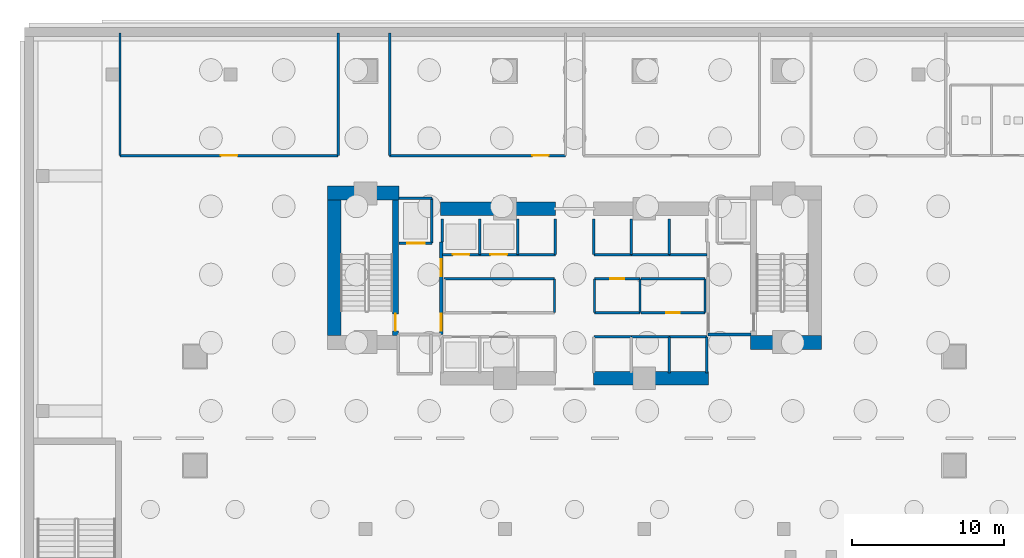
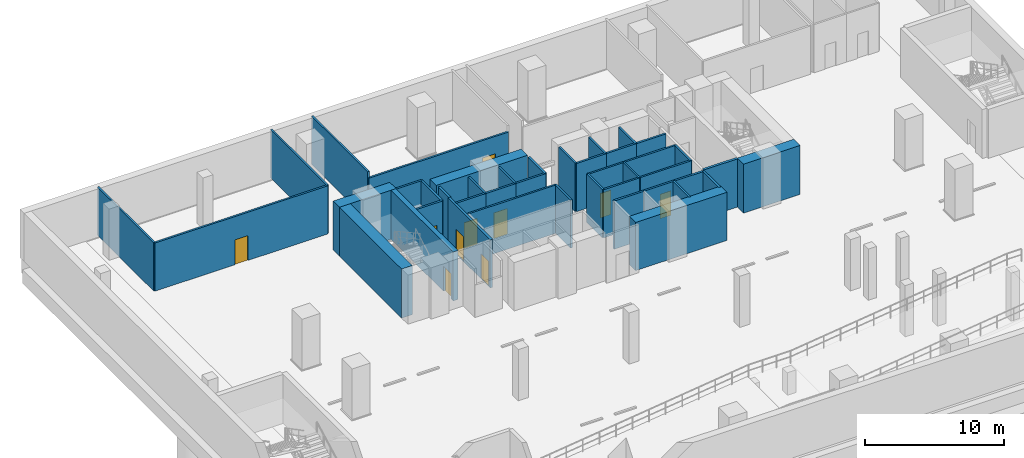
# One storey, part 4 of 13: 43 walls, 10 doors, 10 openings.
"""IFC4 building model written with IfcOpenShell, lengths in metres."""

from ifc_helpers import new_model, si_unit, direction, frame, frame_2d, origin, place, context, subcontext, project, spatial, rectangle, extrude, material, layer, layer_set, type_object, element, fill, save


model = new_model("IFC4")

# Units and contexts
model_context = context("Model", 3, precision=1e-05, world=origin(), true_north=direction((0.0, 1.0)))
body_context = subcontext(model_context, "Body", "Model", "MODEL_VIEW")
ifc_project = project(units=[si_unit("LENGTHUNIT", "METRE"), si_unit("AREAUNIT", "SQUARE_METRE"), si_unit("VOLUMEUNIT", "CUBIC_METRE"), si_unit("PLANEANGLEUNIT", "RADIAN"), si_unit("MASSUNIT", "GRAM", prefix="KILO")], contexts=[model_context])

# Site, building, storey
site_placement = place(None, origin())
site = spatial("IfcSite", under=ifc_project, at=site_placement, CompositionType="ELEMENT")
building_placement = place(site_placement, origin())
building = spatial("IfcBuilding", under=site, at=building_placement, Name="Zuhayl Quay Hotel", CompositionType="ELEMENT")
storey_placement = place(building_placement, frame((0.0, 0.0, -9.0)))
storey = spatial("IfcBuildingStorey", under=building, at=storey_placement, Name="B2", CompositionType="ELEMENT", Elevation=-9.0)

# Walls
ifc_material_1 = material(Name="Concrete C70/85", Category="concrete")
ifc_layer_1 = layer(ifc_material_1, 0.89990234375, Name="Concrete C70/85", Category="concrete")
ifc_layer_set_1 = layer_set([ifc_layer_1], Name="Concrete C70/85")
wall_type_1 = type_object("IfcWallType", Name="WL_CORE_900", PredefinedType="SHEAR", material=ifc_layer_set_1)
wall_1_placement = place(storey_placement, frame((-16.31005859375, 14.3798828125, 0.0), z_axis=(0.0, 0.0, 1.0), x_axis=(1.0, 0.0, 0.0)))
element("IfcWall", 1, at=wall_1_placement, inside=storey, type_object=wall_type_1, Name="B2 Core Shear Wall CW_NW", PredefinedType="SHEAR", context=body_context, shape_type="SweptSolid", body=[
    extrude(rectangle(XDim=4.7099609375, YDim=0.89990234375, at=frame_2d((2.35498046875, 0.0))), origin(), (0.0, 0.0, 1.0), 4.31005859375),
])
wall_2_placement = place(storey_placement, frame((-15.860107421875, 4.969970703125, 0.0), z_axis=(0.0, 0.0, 1.0), x_axis=(0.0, 1.0, 0.0)))
element("IfcWall", 2, at=wall_2_placement, inside=storey, type_object=wall_type_1, Name="B2 Core Shear Wall CW_W", PredefinedType="SHEAR", context=body_context, shape_type="SweptSolid", body=[
    extrude(rectangle(XDim=8.9599609375, YDim=0.89990234375, at=frame_2d((4.47998046875, 0.0))), origin(), (0.0, 0.0, 1.0), 4.31005859375),
])
wall_3_placement = place(storey_placement, frame((11.60009765625, 4.52001953125, 0.0), z_axis=(0.0, 0.0, 1.0), x_axis=(1.0, 0.0, 0.0)))
element("IfcWall", 3, at=wall_3_placement, inside=storey, type_object=wall_type_1, Name="B2 Core Shear Wall CW_SE", PredefinedType="SHEAR", context=body_context, shape_type="SweptSolid", body=[
    extrude(rectangle(XDim=4.7099609375, YDim=0.89990234375, at=frame_2d((2.35498046875, 0.0))), origin(), (0.0, 0.0, 1.0), 4.31005859375),
])
for number, where, z_axis, x_axis, name in (
    (4, (1.25, 2.14990234375, 0.0), (0.0, 0.0, 1.0), (1.0, 0.0, 0.0), "B2 Core Shear Wall CW_SC_E"),
    (5, (-8.85009765625, 13.35009765625, 0.0), (0.0, 0.0, 1.0), (1.0, 0.0, 0.0), "B2 Core Shear Wall CW_NC_W"),
):
    element("IfcWall", number, at=place(storey_placement, frame(where, z_axis=z_axis, x_axis=x_axis)), inside=storey, type_object=wall_type_1, Name=name, PredefinedType="SHEAR", context=body_context, shape_type="SweptSolid", body=[
        extrude(rectangle(XDim=7.60009765625, YDim=0.89990234375, at=frame_2d((3.800048828125, 0.0))), origin(), (0.0, 0.0, 1.0), 4.239990234375),
    ])

# Wall, opening, door
ifc_material_2 = material(Name="Acoustic Gypsum Partition STC-58")
ifc_layer_2 = layer(ifc_material_2, 0.14990234375, Name="Acoustic Gypsum Partition STC-58")
ifc_layer_set_2 = layer_set([ifc_layer_2], Name="Acoustic Gypsum Partition STC-58")
wall_type_2 = type_object("IfcWallType", Name="WL_PART_150", PredefinedType="PARTITIONING", material=ifc_layer_set_2)
wall_4_placement = place(storey_placement, frame((1.320068359375, 8.719970703125, 0.0), z_axis=(0.0, 0.0, 1.0), x_axis=(1.0, 0.0, 0.0)))
wall_4 = element("IfcWall", 6, at=wall_4_placement, inside=storey, type_object=wall_type_2, Name="B2 Partition IW_B2_CORE_IT_N", PredefinedType="PARTITIONING", context=body_context, shape_type="SweptSolid", body=[
    extrude(rectangle(XDim=2.989990234375, YDim=0.14990234375, at=frame_2d((1.4951171875, 0.0))), origin(), (0.0, 0.0, 1.0), 4.239990234375),
])
opening_1_placement = place(wall_4_placement, frame((1.044921875, 0.0, 0.0)))
opening_1 = element("IfcOpeningElement", 7, at=opening_1_placement, cuts=wall_4, Name="Opening D06", PredefinedType="OPENING", context=body_context, shape_type="SweptSolid", body=[
    extrude(rectangle(XDim=0.89990234375, YDim=2.14990234375, at=frame_2d((0.449951171875, 1.074951171875))), frame((0.0, 0.0849609375, 0.0), z_axis=(0.0, -1.0, 0.0), x_axis=(1.0, 0.0, 0.0)), (0.0, 0.0, 1.0), 0.169921875),
])
ifc_material_3 = material(Name="Steel ASTM A992 Grade 50", Category="steel")
door_type_1 = type_object("IfcDoorType", Name="DR_INT_900", OperationType="NOTDEFINED", PredefinedType="DOOR", material=ifc_material_3)
door_1_placement = place(opening_1_placement, origin())
door_1 = element("IfcDoor", 8, at=door_1_placement, inside=storey, type_object=door_type_1, Name="B2 Telecom Closet Door", OperationType="SINGLE_SWING_LEFT", OverallHeight=2.14990234375, OverallWidth=0.89990234375, PredefinedType="DOOR", context=body_context, shape_type="SweptSolid", body=[
    extrude(rectangle(XDim=0.89990234375, YDim=2.14990234375, at=frame_2d((0.449951171875, 1.074951171875))), frame((0.0, 0.02490234375, 0.0), z_axis=(0.0, -1.0, 0.0), x_axis=(1.0, 0.0, 0.0)), (0.0, 0.0, 1.0), 0.050048828125),
])
fill(opening_1, door_1)

wall_5_placement = place(storey_placement, frame((4.3701171875, 6.47998046875, 0.0), z_axis=(0.0, 0.0, 1.0), x_axis=(1.0, 0.0, 0.0)))
wall_5 = element("IfcWall", 9, at=wall_5_placement, inside=storey, type_object=wall_type_2, Name="B2 Partition IW_B2_CORE_LN_S", PredefinedType="PARTITIONING", context=body_context, shape_type="SweptSolid", body=[
    extrude(rectangle(XDim=4.239990234375, YDim=0.14990234375, at=frame_2d((2.1201171875, 0.0))), origin(), (0.0, 0.0, 1.0), 4.239990234375),
])
opening_2_placement = place(wall_5_placement, frame((1.669921875, 0.0, 0.0)))
opening_2 = element("IfcOpeningElement", 10, at=opening_2_placement, cuts=wall_5, Name="Opening D06", PredefinedType="OPENING", context=body_context, shape_type="SweptSolid", body=[
    extrude(rectangle(XDim=0.89990234375, YDim=2.14990234375, at=frame_2d((0.449951171875, 1.074951171875))), frame((0.0, 0.0849609375, 0.0), z_axis=(0.0, -1.0, 0.0), x_axis=(1.0, 0.0, 0.0)), (0.0, 0.0, 1.0), 0.169921875),
])
door_2_placement = place(opening_2_placement, origin())
door_2 = element("IfcDoor", 11, at=door_2_placement, inside=storey, type_object=door_type_1, Name="B2 Core Linen Store Door", OperationType="SINGLE_SWING_RIGHT", OverallHeight=2.14990234375, OverallWidth=0.89990234375, PredefinedType="DOOR", context=body_context, shape_type="SweptSolid", body=[
    extrude(rectangle(XDim=0.89990234375, YDim=2.14990234375, at=frame_2d((0.449951171875, 1.074951171875))), frame((0.0, 0.02490234375, 0.0), z_axis=(0.0, -1.0, 0.0), x_axis=(1.0, 0.0, 0.0)), (0.0, 0.0, 1.0), 0.050048828125),
])
fill(opening_2, door_2)

# Walls
wall_6_placement = place(storey_placement, frame((-8.610107421875, 8.719970703125, 0.0), z_axis=(0.0, 0.0, 1.0), x_axis=(1.0, 0.0, 0.0)))
element("IfcWall", 12, at=wall_6_placement, inside=storey, type_object=wall_type_2, Name="B2 Partition IW_B2_CORE_EL_N", PredefinedType="PARTITIONING", context=body_context, shape_type="SweptSolid", body=[
    extrude(rectangle(XDim=7.2900390625, YDim=0.14990234375, at=frame_2d((3.64501953125, 0.0))), origin(), (0.0, 0.0, 1.0), 4.239990234375),
])
wall_7_placement = place(storey_placement, frame((-1.320068359375, 6.47998046875, 0.0), z_axis=(0.0, 0.0, 1.0), x_axis=(0.0, 1.0, 0.0)))
element("IfcWall", 13, at=wall_7_placement, inside=storey, type_object=wall_type_2, Name="B2 Partition IW_B2_CORE_EL_E", PredefinedType="PARTITIONING", context=body_context, shape_type="SweptSolid", body=[
    extrude(rectangle(XDim=2.239990234375, YDim=0.14990234375, at=frame_2d((1.1201171875, 0.0))), origin(), (0.0, 0.0, 1.0), 4.239990234375),
])
wall_8_placement = place(storey_placement, frame((1.320068359375, 6.47998046875, 0.0), z_axis=(0.0, 0.0, 1.0), x_axis=(1.0, 0.0, 0.0)))
element("IfcWall", 14, at=wall_8_placement, inside=storey, type_object=wall_type_2, Name="B2 Partition IW_B2_CORE_IT_S", PredefinedType="PARTITIONING", context=body_context, shape_type="SweptSolid", body=[
    extrude(rectangle(XDim=2.989990234375, YDim=0.14990234375, at=frame_2d((1.4951171875, 0.0))), origin(), (0.0, 0.0, 1.0), 4.239990234375),
])
for number, where, z_axis, x_axis, name in (
    (15, (1.320068359375, 6.47998046875, 0.0), (0.0, 0.0, 1.0), (0.0, 1.0, 0.0), "B2 Partition IW_B2_CORE_IT_W"),
    (16, (4.31005859375, 6.47998046875, 0.0), (0.0, 0.0, 1.0), (0.0, 1.0, 0.0), "B2 Partition IW_B2_CORE_IT_E"),
):
    element("IfcWall", number, at=place(storey_placement, frame(where, z_axis=z_axis, x_axis=x_axis)), inside=storey, type_object=wall_type_2, Name=name, PredefinedType="PARTITIONING", context=body_context, shape_type="SweptSolid", body=[
        extrude(rectangle(XDim=2.239990234375, YDim=0.14990234375, at=frame_2d((1.1201171875, 0.0))), origin(), (0.0, 0.0, 1.0), 4.239990234375),
    ])
wall_9_placement = place(storey_placement, frame((4.3701171875, 8.719970703125, 0.0), z_axis=(0.0, 0.0, 1.0), x_axis=(1.0, 0.0, 0.0)))
element("IfcWall", 17, at=wall_9_placement, inside=storey, type_object=wall_type_2, Name="B2 Partition IW_B2_CORE_LN_N", PredefinedType="PARTITIONING", context=body_context, shape_type="SweptSolid", body=[
    extrude(rectangle(XDim=4.239990234375, YDim=0.14990234375, at=frame_2d((2.1201171875, 0.0))), origin(), (0.0, 0.0, 1.0), 4.239990234375),
])
wall_10_placement = place(storey_placement, frame((8.610107421875, 6.47998046875, 0.0), z_axis=(0.0, 0.0, 1.0), x_axis=(0.0, 1.0, 0.0)))
element("IfcWall", 18, at=wall_10_placement, inside=storey, type_object=wall_type_2, Name="B2 Partition IW_B2_CORE_LN_E", PredefinedType="PARTITIONING", context=body_context, shape_type="SweptSolid", body=[
    extrude(rectangle(XDim=2.239990234375, YDim=0.14990234375, at=frame_2d((1.1201171875, 0.0))), origin(), (0.0, 0.0, 1.0), 4.239990234375),
])
for number, where, z_axis, x_axis, name in (
    (19, (-30.0, 16.85009765625, 0.0), (0.0, 0.0, 1.0), (0.0, 1.0, 0.0), "B2 Partition IW_B2_CHILLER_W"),
    (20, (-15.60009765625, 16.85009765625, 0.0), (0.0, 0.0, 1.0), (0.0, 1.0, 0.0), "B2 Partition IW_B2_CHILLER_E"),
    (21, (-12.199951171875, 16.85009765625, 0.0), (0.0, 0.0, 1.0), (0.0, 1.0, 0.0), "B2 Partition IW_B2_FIREPUMP_W"),
):
    element("IfcWall", number, at=place(storey_placement, frame(where, z_axis=z_axis, x_axis=x_axis)), inside=storey, type_object=wall_type_2, Name=name, PredefinedType="PARTITIONING", context=body_context, shape_type="SweptSolid", body=[
        extrude(rectangle(XDim=8.08984375, YDim=0.14990234375, at=frame_2d((4.044921875, 0.0))), origin(), (0.0, 0.0, 1.0), 4.239990234375),
    ])

# Wall, opening, door
ifc_layer_3 = layer(ifc_material_2, 0.159912109375, Name="Acoustic Gypsum Partition STC-58")
ifc_layer_set_3 = layer_set([ifc_layer_3], Name="Acoustic Gypsum Partition STC-58")
wall_type_3 = type_object("IfcWallType", Name="WL_PART_CORR_160", PredefinedType="PARTITIONING", material=ifc_layer_set_3)
wall_11_placement = place(storey_placement, frame((-30.0, 16.85009765625, 0.0), z_axis=(0.0, 0.0, 1.0), x_axis=(1.0, 0.0, 0.0)))
wall_11 = element("IfcWall", 22, at=wall_11_placement, inside=storey, type_object=wall_type_3, Name="B2 Partition IW_B2_CHILLER_S", PredefinedType="PARTITIONING", context=body_context, shape_type="SweptSolid", body=[
    extrude(rectangle(XDim=14.39990234375, YDim=0.159912109375, at=frame_2d((7.199951171875, 0.0))), origin(), (0.0, 0.0, 1.0), 4.239990234375),
])
opening_3_placement = place(wall_11_placement, frame((6.659912109375, 0.0, 0.0)))
opening_3 = element("IfcOpeningElement", 23, at=opening_3_placement, cuts=wall_11, Name="Opening D05A", PredefinedType="OPENING", context=body_context, shape_type="SweptSolid", body=[
    extrude(rectangle(XDim=1.080078125, YDim=2.179931640625, at=frame_2d((0.5400390625, 1.08984375))), frame((0.0, 0.08984375, 0.0), z_axis=(0.0, -1.0, 0.0), x_axis=(1.0, 0.0, 0.0)), (0.0, 0.0, 1.0), 0.179931640625),
])
ifc_material_4 = material(Name="Solid Walnut Acoustic Fire Door")
door_type_2 = type_object("IfcDoorType", Name="DR_INT_1100", OperationType="NOTDEFINED", PredefinedType="DOOR", material=ifc_material_4)
door_3_placement = place(opening_3_placement, origin())
door_3 = element("IfcDoor", 24, at=door_3_placement, inside=storey, type_object=door_type_2, Name="B2 Central Chiller Plant Room Door", OperationType="SINGLE_SWING_RIGHT", OverallHeight=2.179931640625, OverallWidth=1.080078125, PredefinedType="DOOR", context=body_context, shape_type="SweptSolid", body=[
    extrude(rectangle(XDim=1.080078125, YDim=2.179931640625, at=frame_2d((0.5400390625, 1.08984375))), frame((0.0, 0.02490234375, 0.0), z_axis=(0.0, -1.0, 0.0), x_axis=(1.0, 0.0, 0.0)), (0.0, 0.0, 1.0), 0.050048828125),
])
fill(opening_3, door_3)

wall_12_placement = place(storey_placement, frame((-12.199951171875, 16.85009765625, 0.0), z_axis=(0.0, 0.0, 1.0), x_axis=(1.0, 0.0, 0.0)))
wall_12 = element("IfcWall", 25, at=wall_12_placement, inside=storey, type_object=wall_type_3, Name="B2 Partition IW_B2_FIREPUMP_S", PredefinedType="PARTITIONING", context=body_context, shape_type="SweptSolid", body=[
    extrude(rectangle(XDim=11.599853515625, YDim=0.159912109375, at=frame_2d((5.7998046875, 0.0))), origin(), (0.0, 0.0, 1.0), 3.70703125),
])
opening_4_placement = place(wall_12_placement, frame((9.409912109375, 0.0, 0.0)))
opening_4 = element("IfcOpeningElement", 26, at=opening_4_placement, cuts=wall_12, Name="Opening D05A", PredefinedType="OPENING", context=body_context, shape_type="SweptSolid", body=[
    extrude(rectangle(XDim=1.080078125, YDim=2.179931640625, at=frame_2d((0.5400390625, 1.08984375))), frame((0.0, 0.08984375, 0.0), z_axis=(0.0, -1.0, 0.0), x_axis=(1.0, 0.0, 0.0)), (0.0, 0.0, 1.0), 0.179931640625),
])
door_4_placement = place(opening_4_placement, origin())
door_4 = element("IfcDoor", 27, at=door_4_placement, inside=storey, type_object=door_type_2, Name="B2 Fire Pump and Reserve Plant Room Door", OperationType="SINGLE_SWING_LEFT", OverallHeight=2.179931640625, OverallWidth=1.080078125, PredefinedType="DOOR", context=body_context, shape_type="SweptSolid", body=[
    extrude(rectangle(XDim=1.080078125, YDim=2.179931640625, at=frame_2d((0.5400390625, 1.08984375))), frame((0.0, 0.02490234375, 0.0), z_axis=(0.0, -1.0, 0.0), x_axis=(1.0, 0.0, 0.0)), (0.0, 0.0, 1.0), 0.050048828125),
])
fill(opening_4, door_4)

ifc_material_5 = material(Name="Gypsum Fireboard Assembly EI-90")
ifc_layer_4 = layer(ifc_material_5, 0.1650390625, Name="Gypsum Fireboard Assembly EI-90")
ifc_layer_set_4 = layer_set([ifc_layer_4], Name="Gypsum Fireboard Assembly EI-90")
wall_type_4 = type_object("IfcWallType", Name="WL_PART_SHAFT_160", PredefinedType="PARTITIONING", material=ifc_layer_set_4)
wall_13_placement = place(storey_placement, frame((-11.580078125, 11.070068359375, 0.0), z_axis=(0.0, 0.0, 1.0), x_axis=(1.0, 0.0, 0.0)))
wall_13 = element("IfcWall", 28, at=wall_13_placement, inside=storey, type_object=wall_type_4, Name="B2 Partition IW_B2_SH_FL1_F", PredefinedType="PARTITIONING", context=body_context, shape_type="SweptSolid", body=[
    extrude(rectangle(XDim=2.16015625, YDim=0.1650390625, at=frame_2d((1.080078125, 0.0))), origin(), (0.0, 0.0, 1.0), 4.239990234375),
])
opening_5_placement = place(wall_13_placement, frame((0.530029296875, 0.0, 0.0)))
opening_5 = element("IfcOpeningElement", 29, at=opening_5_placement, cuts=wall_13, Name="Opening LD2", PredefinedType="OPENING", context=body_context, shape_type="SweptSolid", body=[
    extrude(rectangle(XDim=1.14990234375, YDim=2.25, at=frame_2d((0.574951171875, 1.125))), frame((0.0, 0.092529296875, 0.0), z_axis=(0.0, -1.0, 0.0), x_axis=(1.0, 0.0, 0.0)), (0.0, 0.0, 1.0), 0.18505859375),
])
ifc_material_6 = material(Name="Brushed Stainless Steel", Category="steel")
door_type_3 = type_object("IfcDoorType", Name="DR_LIFT_FF_1100", OperationType="SLIDING_TO_LEFT", PredefinedType="DOOR", material=ifc_material_6)
door_5_placement = place(opening_5_placement, origin())
door_5 = element("IfcDoor", 30, at=door_5_placement, inside=storey, type_object=door_type_3, Name="B2 Lift FL1 Sliding Landing Door", OperationType="SLIDING_TO_LEFT", OverallHeight=2.25, OverallWidth=1.14990234375, PredefinedType="DOOR", context=body_context, shape_type="SweptSolid", body=[
    extrude(rectangle(XDim=1.14990234375, YDim=2.25, at=frame_2d((0.574951171875, 1.125))), frame((0.0, 0.02490234375, 0.0), z_axis=(0.0, -1.0, 0.0), x_axis=(1.0, 0.0, 0.0)), (0.0, 0.0, 1.0), 0.050048828125),
])
fill(opening_5, door_5)

wall_14_placement = place(storey_placement, frame((-8.72998046875, 10.320068359375, 0.0), z_axis=(0.0, 0.0, 1.0), x_axis=(1.0, 0.0, 0.0)))
wall_14 = element("IfcWall", 31, at=wall_14_placement, inside=storey, type_object=wall_type_4, Name="B2 Partition IW_B2_SH_LP3_F", PredefinedType="PARTITIONING", context=body_context, shape_type="SweptSolid", body=[
    extrude(rectangle(XDim=2.47998046875, YDim=0.1650390625, at=frame_2d((1.239990234375, 0.0))), origin(), (0.0, 0.0, 1.0), 4.239990234375),
])
opening_6_placement = place(wall_14_placement, frame((0.68994140625, 0.0, 0.0)))
opening_6 = element("IfcOpeningElement", 32, at=opening_6_placement, cuts=wall_14, Name="Opening LD1", PredefinedType="OPENING", context=body_context, shape_type="SweptSolid", body=[
    extrude(rectangle(XDim=1.10009765625, YDim=2.25, at=frame_2d((0.550048828125, 1.125))), frame((0.0, 0.092529296875, 0.0), z_axis=(0.0, -1.0, 0.0), x_axis=(1.0, 0.0, 0.0)), (0.0, 0.0, 1.0), 0.18505859375),
])
door_type_4 = type_object("IfcDoorType", Name="DR_LIFT_PASS_1100", OperationType="SLIDING_TO_LEFT", PredefinedType="DOOR", material=ifc_material_6)
door_6_placement = place(opening_6_placement, origin())
door_6 = element("IfcDoor", 33, at=door_6_placement, inside=storey, type_object=door_type_4, Name="B2 Lift LP3 Sliding Landing Door", OperationType="SLIDING_TO_LEFT", OverallHeight=2.25, OverallWidth=1.10009765625, PredefinedType="DOOR", context=body_context, shape_type="SweptSolid", body=[
    extrude(rectangle(XDim=1.10009765625, YDim=2.25, at=frame_2d((0.550048828125, 1.125))), frame((0.0, 0.02490234375, 0.0), z_axis=(0.0, -1.0, 0.0), x_axis=(1.0, 0.0, 0.0)), (0.0, 0.0, 1.0), 0.050048828125),
])
fill(opening_6, door_6)

wall_15_placement = place(storey_placement, frame((-6.25, 10.320068359375, 0.0), z_axis=(0.0, 0.0, 1.0), x_axis=(1.0, 0.0, 0.0)))
wall_15 = element("IfcWall", 34, at=wall_15_placement, inside=storey, type_object=wall_type_4, Name="B2 Partition IW_B2_SH_LP4_F", PredefinedType="PARTITIONING", context=body_context, shape_type="SweptSolid", body=[
    extrude(rectangle(XDim=2.5, YDim=0.1650390625, at=frame_2d((1.25, 0.0))), origin(), (0.0, 0.0, 1.0), 4.239990234375),
])
opening_7_placement = place(wall_15_placement, frame((0.699951171875, 0.0, 0.0)))
opening_7 = element("IfcOpeningElement", 35, at=opening_7_placement, cuts=wall_15, Name="Opening LD1", PredefinedType="OPENING", context=body_context, shape_type="SweptSolid", body=[
    extrude(rectangle(XDim=1.10009765625, YDim=2.25, at=frame_2d((0.550048828125, 1.125))), frame((0.0, 0.092529296875, 0.0), z_axis=(0.0, -1.0, 0.0), x_axis=(1.0, 0.0, 0.0)), (0.0, 0.0, 1.0), 0.18505859375),
])
door_7_placement = place(opening_7_placement, origin())
door_7 = element("IfcDoor", 36, at=door_7_placement, inside=storey, type_object=door_type_4, Name="B2 Lift LP4 Sliding Landing Door", OperationType="SLIDING_TO_LEFT", OverallHeight=2.25, OverallWidth=1.10009765625, PredefinedType="DOOR", context=body_context, shape_type="SweptSolid", body=[
    extrude(rectangle(XDim=1.10009765625, YDim=2.25, at=frame_2d((0.550048828125, 1.125))), frame((0.0, 0.02490234375, 0.0), z_axis=(0.0, -1.0, 0.0), x_axis=(1.0, 0.0, 0.0)), (0.0, 0.0, 1.0), 0.050048828125),
])
fill(opening_7, door_7)

# Walls
wall_16_placement = place(storey_placement, frame((-9.419921875, 11.070068359375, 0.0), z_axis=(0.0, 0.0, 1.0), x_axis=(0.0, 1.0, 0.0)))
element("IfcWall", 37, at=wall_16_placement, inside=storey, type_object=wall_type_4, Name="B2 Partition IW_B2_SH_FL1_E", PredefinedType="PARTITIONING", context=body_context, shape_type="SweptSolid", body=[
    extrude(rectangle(XDim=2.9599609375, YDim=0.1650390625, at=frame_2d((1.47998046875, 0.0))), origin(), (0.0, 0.0, 1.0), 4.239990234375),
])
wall_17_placement = place(storey_placement, frame((-11.580078125, 14.030029296875, 0.0), z_axis=(0.0, 0.0, 1.0), x_axis=(1.0, 0.0, 0.0)))
element("IfcWall", 38, at=wall_17_placement, inside=storey, type_object=wall_type_4, Name="B2 Partition IW_B2_SH_FL1_B", PredefinedType="PARTITIONING", context=body_context, shape_type="SweptSolid", body=[
    extrude(rectangle(XDim=2.16015625, YDim=0.1650390625, at=frame_2d((1.080078125, 0.0))), origin(), (0.0, 0.0, 1.0), 4.239990234375),
])
wall_18_placement = place(storey_placement, frame((-8.72998046875, 11.14990234375, 0.0), z_axis=(0.0, 0.0, 1.0), x_axis=(0.0, 1.0, 0.0)))
element("IfcWall", 39, at=wall_18_placement, inside=storey, type_object=wall_type_4, Name="B2 Partition IW_B2_SH_LP3_W", PredefinedType="PARTITIONING", context=body_context, shape_type="SweptSolid", body=[
    extrude(rectangle(XDim=1.530029296875, YDim=0.1650390625, at=frame_2d((0.76513671875, 0.0))), origin(), (0.0, 0.0, 1.0), 4.239990234375),
])
for number, where, z_axis, x_axis, name in (
    (40, (-6.25, 10.320068359375, 0.0), (0.0, 0.0, 1.0), (0.0, 1.0, 0.0), "B2 Partition IW_B2_SH_LP3_E"),
    (41, (-3.75, 10.320068359375, 0.0), (0.0, 0.0, 1.0), (0.0, 1.0, 0.0), "B2 Partition IW_B2_SH_LP4_E"),
):
    element("IfcWall", number, at=place(storey_placement, frame(where, z_axis=z_axis, x_axis=x_axis)), inside=storey, type_object=wall_type_4, Name=name, PredefinedType="PARTITIONING", context=body_context, shape_type="SweptSolid", body=[
        extrude(rectangle(XDim=2.35986328125, YDim=0.1650390625, at=frame_2d((1.179931640625, 0.0))), origin(), (0.0, 0.0, 1.0), 4.239990234375),
    ])
for number, where, z_axis, x_axis, name in (
    (42, (1.27001953125, 4.8798828125, 0.0), (0.0, 0.0, 1.0), (1.0, 0.0, 0.0), "B2 Partition IW_B2_SH_MP2_F"),
    (43, (-3.75, 10.320068359375, 0.0), (0.0, 0.0, 1.0), (1.0, 0.0, 0.0), "B2 Partition IW_B2_SH_MP3_F"),
):
    element("IfcWall", number, at=place(storey_placement, frame(where, z_axis=z_axis, x_axis=x_axis)), inside=storey, type_object=wall_type_4, Name=name, PredefinedType="PARTITIONING", context=body_context, shape_type="SweptSolid", body=[
        extrude(rectangle(XDim=2.47998046875, YDim=0.1650390625, at=frame_2d((1.239990234375, 0.0))), origin(), (0.0, 0.0, 1.0), 4.239990234375),
    ])
wall_19_placement = place(storey_placement, frame((-1.27001953125, 10.320068359375, 0.0), z_axis=(0.0, 0.0, 1.0), x_axis=(0.0, 1.0, 0.0)))
element("IfcWall", 44, at=wall_19_placement, inside=storey, type_object=wall_type_4, Name="B2 Partition IW_B2_SH_MP3_E", PredefinedType="PARTITIONING", context=body_context, shape_type="SweptSolid", body=[
    extrude(rectangle(XDim=2.35986328125, YDim=0.1650390625, at=frame_2d((1.179931640625, 0.0))), origin(), (0.0, 0.0, 1.0), 4.239990234375),
])
wall_20_placement = place(storey_placement, frame((1.27001953125, 10.320068359375, 0.0), z_axis=(0.0, 0.0, 1.0), x_axis=(1.0, 0.0, 0.0)))
element("IfcWall", 45, at=wall_20_placement, inside=storey, type_object=wall_type_4, Name="B2 Partition IW_B2_SH_MP4_F", PredefinedType="PARTITIONING", context=body_context, shape_type="SweptSolid", body=[
    extrude(rectangle(XDim=2.47998046875, YDim=0.1650390625, at=frame_2d((1.239990234375, 0.0))), origin(), (0.0, 0.0, 1.0), 4.239990234375),
])
for number, where, z_axis, x_axis, name in (
    (46, (1.27001953125, 10.320068359375, 0.0), (0.0, 0.0, 1.0), (0.0, 1.0, 0.0), "B2 Partition IW_B2_SH_MP4_W"),
    (47, (3.75, 10.320068359375, 0.0), (0.0, 0.0, 1.0), (0.0, 1.0, 0.0), "B2 Partition IW_B2_SH_MP4_E"),
):
    element("IfcWall", number, at=place(storey_placement, frame(where, z_axis=z_axis, x_axis=x_axis)), inside=storey, type_object=wall_type_4, Name=name, PredefinedType="PARTITIONING", context=body_context, shape_type="SweptSolid", body=[
        extrude(rectangle(XDim=2.35986328125, YDim=0.1650390625, at=frame_2d((1.179931640625, 0.0))), origin(), (0.0, 0.0, 1.0), 4.239990234375),
    ])
wall_21_placement = place(storey_placement, frame((3.75, 4.8798828125, 0.0), z_axis=(0.0, 0.0, 1.0), x_axis=(1.0, 0.0, 0.0)))
element("IfcWall", 48, at=wall_21_placement, inside=storey, type_object=wall_type_4, Name="B2 Partition IW_B2_SH_HP1_F", PredefinedType="PARTITIONING", context=body_context, shape_type="SweptSolid", body=[
    extrude(rectangle(XDim=2.5, YDim=0.1650390625, at=frame_2d((1.25, 0.0))), origin(), (0.0, 0.0, 1.0), 4.239990234375),
])
wall_22_placement = place(storey_placement, frame((6.25, 2.52001953125, 0.0), z_axis=(0.0, 0.0, 1.0), x_axis=(0.0, 1.0, 0.0)))
element("IfcWall", 49, at=wall_22_placement, inside=storey, type_object=wall_type_4, Name="B2 Partition IW_B2_SH_HP1_E", PredefinedType="PARTITIONING", context=body_context, shape_type="SweptSolid", body=[
    extrude(rectangle(XDim=2.35986328125, YDim=0.1650390625, at=frame_2d((1.179931640625, 0.0))), origin(), (0.0, 0.0, 1.0), 4.239990234375),
])
wall_23_placement = place(storey_placement, frame((6.25, 4.8798828125, 0.0), z_axis=(0.0, 0.0, 1.0), x_axis=(1.0, 0.0, 0.0)))
element("IfcWall", 50, at=wall_23_placement, inside=storey, type_object=wall_type_4, Name="B2 Partition IW_B2_SH_HP2_F", PredefinedType="PARTITIONING", context=body_context, shape_type="SweptSolid", body=[
    extrude(rectangle(XDim=2.47998046875, YDim=0.1650390625, at=frame_2d((1.239990234375, 0.0))), origin(), (0.0, 0.0, 1.0), 4.239990234375),
])
wall_24_placement = place(storey_placement, frame((8.72998046875, 2.52001953125, 0.0), z_axis=(0.0, 0.0, 1.0), x_axis=(0.0, 1.0, 0.0)))
element("IfcWall", 51, at=wall_24_placement, inside=storey, type_object=wall_type_4, Name="B2 Partition IW_B2_SH_HP2_E", PredefinedType="PARTITIONING", context=body_context, shape_type="SweptSolid", body=[
    extrude(rectangle(XDim=2.35986328125, YDim=0.1650390625, at=frame_2d((1.179931640625, 0.0))), origin(), (0.0, 0.0, 1.0), 4.239990234375),
])
wall_25_placement = place(storey_placement, frame((3.75, 10.320068359375, 0.0), z_axis=(0.0, 0.0, 1.0), x_axis=(1.0, 0.0, 0.0)))
element("IfcWall", 52, at=wall_25_placement, inside=storey, type_object=wall_type_4, Name="B2 Partition IW_B2_SH_HP3_F", PredefinedType="PARTITIONING", context=body_context, shape_type="SweptSolid", body=[
    extrude(rectangle(XDim=2.5, YDim=0.1650390625, at=frame_2d((1.25, 0.0))), origin(), (0.0, 0.0, 1.0), 4.239990234375),
])
wall_26_placement = place(storey_placement, frame((6.25, 10.320068359375, 0.0), z_axis=(0.0, 0.0, 1.0), x_axis=(0.0, 1.0, 0.0)))
element("IfcWall", 53, at=wall_26_placement, inside=storey, type_object=wall_type_4, Name="B2 Partition IW_B2_SH_HP3_E", PredefinedType="PARTITIONING", context=body_context, shape_type="SweptSolid", body=[
    extrude(rectangle(XDim=2.35986328125, YDim=0.1650390625, at=frame_2d((1.179931640625, 0.0))), origin(), (0.0, 0.0, 1.0), 4.239990234375),
])
wall_27_placement = place(storey_placement, frame((6.25, 10.320068359375, 0.0), z_axis=(0.0, 0.0, 1.0), x_axis=(1.0, 0.0, 0.0)))
element("IfcWall", 54, at=wall_27_placement, inside=storey, type_object=wall_type_4, Name="B2 Partition IW_B2_SH_HP4_F", PredefinedType="PARTITIONING", context=body_context, shape_type="SweptSolid", body=[
    extrude(rectangle(XDim=2.47998046875, YDim=0.1650390625, at=frame_2d((1.239990234375, 0.0))), origin(), (0.0, 0.0, 1.0), 4.239990234375),
])

# Wall, openings, doors
ifc_material_7 = material(Name="Gypsum Fireboard Assembly EI-120")
ifc_layer_5 = layer(ifc_material_7, 0.199951171875, Name="Gypsum Fireboard Assembly EI-120")
ifc_layer_set_5 = layer_set([ifc_layer_5], Name="Gypsum Fireboard Assembly EI-120")
wall_type_5 = type_object("IfcWallType", Name="WL_PART_SHAFT_200", PredefinedType="PARTITIONING", material=ifc_layer_set_5)
wall_28_placement = place(storey_placement, frame((-8.800048828125, 5.050048828125, 0.0), z_axis=(0.0, 0.0, 1.0), x_axis=(0.0, 1.0, 0.0)))
wall_28 = element("IfcWall", 55, at=wall_28_placement, inside=storey, type_object=wall_type_5, Name="B2 Partition IW_B2_FSAE_W_E", PredefinedType="PARTITIONING", context=body_context, shape_type="SweptSolid", body=[
    extrude(rectangle(XDim=6.099853515625, YDim=0.199951171875, at=frame_2d((3.0498046875, 0.0))), origin(), (0.0, 0.0, 1.0), 4.239990234375),
])
opening_8_placement = place(wall_28_placement, frame((0.25, 0.0, 0.0)))
opening_8 = element("IfcOpeningElement", 56, at=opening_8_placement, cuts=wall_28, Name="Opening D02", PredefinedType="OPENING", context=body_context, shape_type="SweptSolid", body=[
    extrude(rectangle(XDim=1.10009765625, YDim=2.199951171875, at=frame_2d((0.550048828125, 1.10009765625))), frame((0.0, 0.10986328125, 0.0), z_axis=(0.0, -1.0, 0.0), x_axis=(1.0, 0.0, 0.0)), (0.0, 0.0, 1.0), 0.219970703125),
])
opening_9_placement = place(wall_28_placement, frame((3.85009765625, 0.0, 0.0)))
opening_9 = element("IfcOpeningElement", 57, at=opening_9_placement, cuts=wall_28, Name="Opening D02", PredefinedType="OPENING", context=body_context, shape_type="SweptSolid", body=[
    extrude(rectangle(XDim=1.10009765625, YDim=2.199951171875, at=frame_2d((0.550048828125, 1.10009765625))), frame((0.0, 0.10986328125, 0.0), z_axis=(0.0, -1.0, 0.0), x_axis=(1.0, 0.0, 0.0)), (0.0, 0.0, 1.0), 0.219970703125),
])
door_type_5 = type_object("IfcDoorType", Name="DR_FIRE_90_1100", OperationType="NOTDEFINED", PredefinedType="DOOR", material=ifc_material_3)
door_8_placement = place(opening_8_placement, origin())
door_8 = element("IfcDoor", 58, at=door_8_placement, inside=storey, type_object=door_type_5, Name="B2 FSAE Lobby West South Entry Door", OperationType="SINGLE_SWING_RIGHT", OverallHeight=2.199951171875, OverallWidth=1.10009765625, PredefinedType="DOOR", context=body_context, shape_type="SweptSolid", body=[
    extrude(rectangle(XDim=1.10009765625, YDim=2.199951171875, at=frame_2d((0.550048828125, 1.10009765625))), frame((0.0, 0.02490234375, 0.0), z_axis=(0.0, -1.0, 0.0), x_axis=(1.0, 0.0, 0.0)), (0.0, 0.0, 1.0), 0.050048828125),
])
fill(opening_8, door_8)
door_9_placement = place(opening_9_placement, origin())
door_9 = element("IfcDoor", 59, at=door_9_placement, inside=storey, type_object=door_type_5, Name="B2 FSAE Lobby West North Entry Door", OperationType="SINGLE_SWING_LEFT", OverallHeight=2.199951171875, OverallWidth=1.10009765625, PredefinedType="DOOR", context=body_context, shape_type="SweptSolid", body=[
    extrude(rectangle(XDim=1.10009765625, YDim=2.199951171875, at=frame_2d((0.550048828125, 1.10009765625))), frame((0.0, 0.02490234375, 0.0), z_axis=(0.0, -1.0, 0.0), x_axis=(1.0, 0.0, 0.0)), (0.0, 0.0, 1.0), 0.050048828125),
])
fill(opening_9, door_9)

# Wall
wall_29_placement = place(storey_placement, frame((8.800048828125, 5.050048828125, 0.0), z_axis=(0.0, 0.0, 1.0), x_axis=(1.0, 0.0, 0.0)))
element("IfcWall", 60, at=wall_29_placement, inside=storey, type_object=wall_type_5, Name="B2 Partition IW_B2_FSAE_E_S", PredefinedType="PARTITIONING", context=body_context, shape_type="SweptSolid", body=[
    extrude(rectangle(XDim=2.849853515625, YDim=0.199951171875, at=frame_2d((1.4248046875, 0.0))), origin(), (0.0, 0.0, 1.0), 4.239990234375),
])

# Wall, opening, door
ifc_material_8 = material(Name="Concrete C60/75", Category="concrete")
ifc_layer_6 = layer(ifc_material_8, 0.39990234375, Name="Concrete C60/75", Category="concrete")
ifc_layer_set_6 = layer_set([ifc_layer_6], Name="Concrete C60/75")
wall_type_6 = type_object("IfcWallType", Name="WL_STAIR_400", PredefinedType="SHEAR", material=ifc_layer_set_6)
wall_30_placement = place(storey_placement, frame((-11.820068359375, 4.969970703125, 0.0), z_axis=(0.0, 0.0, 1.0), x_axis=(0.0, 1.0, 0.0)))
wall_30 = element("IfcWall", 61, at=wall_30_placement, inside=storey, type_object=wall_type_6, Name="B2 Core Shear Wall SW_ST1", PredefinedType="SHEAR", context=body_context, shape_type="SweptSolid", body=[
    extrude(rectangle(XDim=8.9599609375, YDim=0.39990234375, at=frame_2d((4.47998046875, 0.0))), origin(), (0.0, 0.0, 1.0), 4.31005859375),
])
opening_10_placement = place(wall_30_placement, frame((0.31005859375, 0.0, 0.0)))
opening_10 = element("IfcOpeningElement", 62, at=opening_10_placement, cuts=wall_30, Name="Opening D01", PredefinedType="OPENING", context=body_context, shape_type="SweptSolid", body=[
    extrude(rectangle(XDim=1.1201171875, YDim=2.219970703125, at=frame_2d((0.56005859375, 1.10986328125))), frame((0.0, 0.2099609375, 0.0), z_axis=(0.0, -1.0, 0.0), x_axis=(1.0, 0.0, 0.0)), (0.0, 0.0, 1.0), 0.419921875),
])
door_type_6 = type_object("IfcDoorType", Name="DR_STAIR_90_1100", OperationType="NOTDEFINED", PredefinedType="DOOR", material=ifc_material_3)
door_10_placement = place(opening_10_placement, origin())
door_10 = element("IfcDoor", 63, at=door_10_placement, inside=storey, type_object=door_type_6, Name="B2 Smokeproof Exit Stair ST1 Door", OperationType="SINGLE_SWING_LEFT", OverallHeight=2.219970703125, OverallWidth=1.1201171875, PredefinedType="DOOR", context=body_context, shape_type="SweptSolid", body=[
    extrude(rectangle(XDim=1.1201171875, YDim=2.219970703125, at=frame_2d((0.56005859375, 1.10986328125))), frame((0.0, 0.02490234375, 0.0), z_axis=(0.0, -1.0, 0.0), x_axis=(1.0, 0.0, 0.0)), (0.0, 0.0, 1.0), 0.050048828125),
])
fill(opening_10, door_10)

save(model, "model.ifc")
